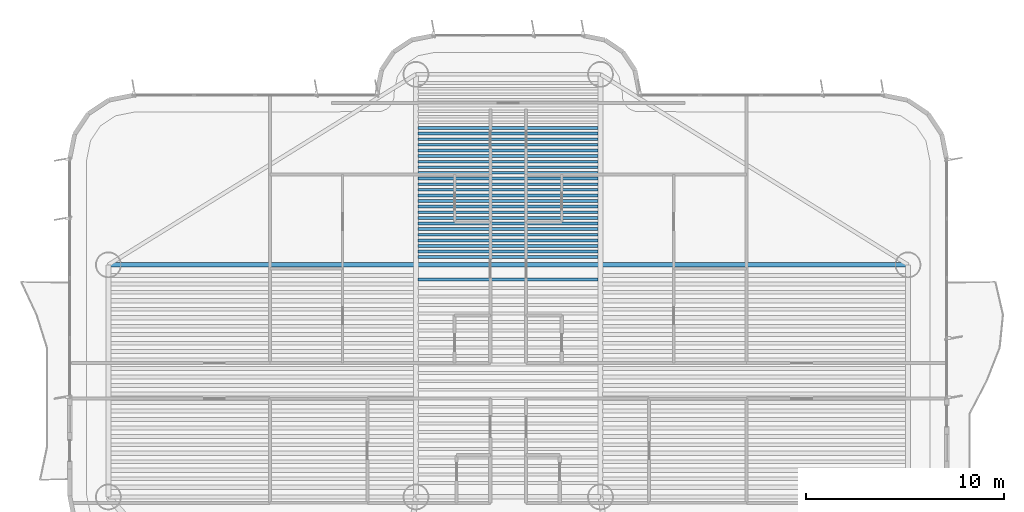
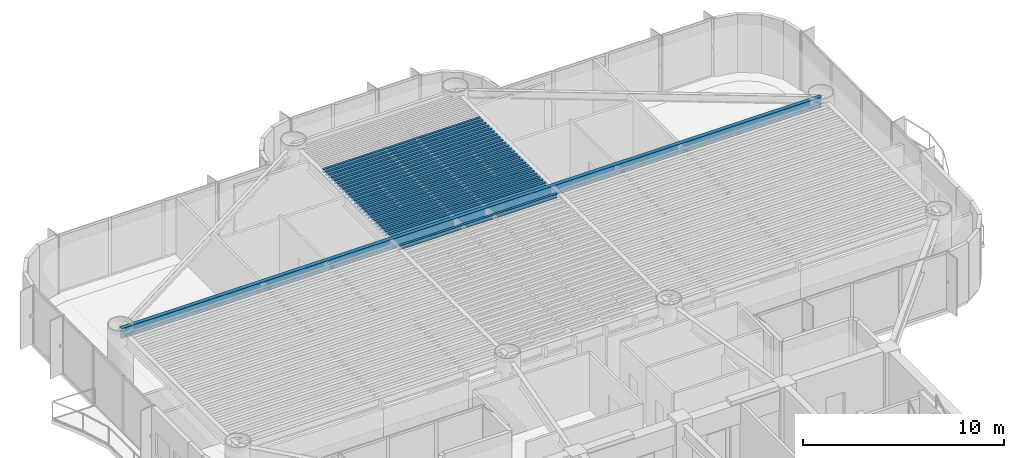
# One storey, part 6 of 17: 26 beams.
"""IFC4 building model written with IfcOpenShell, lengths in metres."""

from ifc_helpers import new_model, si_unit, direction, frame, origin, origin_2d, place, context, subcontext, project, spatial, i_section, extrude, source, transform, mapped, material, material_profile, profile_set, type_object, element, save


model = new_model("IFC4")

# Units and contexts
model_context = context("Model", 3, precision=1e-05, world=origin(), true_north=direction((0.0, 1.0)))
body_context = subcontext(model_context, "Body", "Model", "MODEL_VIEW")
ifc_project = project(units=[si_unit("LENGTHUNIT", "METRE"), si_unit("AREAUNIT", "SQUARE_METRE"), si_unit("VOLUMEUNIT", "CUBIC_METRE"), si_unit("PLANEANGLEUNIT", "RADIAN"), si_unit("MASSUNIT", "GRAM", prefix="KILO")], contexts=[model_context])

# Site, building, storey
site_placement = place(None, origin())
site = spatial("IfcSite", under=ifc_project, at=site_placement, CompositionType="ELEMENT")
building_placement = place(site_placement, origin())
building = spatial("IfcBuilding", under=site, at=building_placement, Name="Brelvock Crest Care Tower", CompositionType="ELEMENT")
storey_placement = place(building_placement, frame((0.0, 0.0, 93.60009765625)))
storey = spatial("IfcBuildingStorey", under=building, at=storey_placement, Name="L23", CompositionType="ELEMENT", Elevation=93.60009765625)

# Beams
ifc_material = material(Name="Steel Grade 350", Category="steel")
ifc_material_profile_1 = material_profile(ifc_material, i_section(OverallWidth=0.14599609375, OverallDepth=0.256103515625, WebThickness=0.00634765625, FlangeThickness=0.010986328125, FilletRadius=0.0087890625, at=origin_2d()), Name="250UB37.3")
ifc_profile_set_1 = profile_set([ifc_material_profile_1], Name="Steel Grade 350")
beam_type_1 = type_object("IfcBeamType", Name="BM-J3", PredefinedType="JOIST", material=ifc_profile_set_1)
shared_shape_1 = source(origin(), body_context, "Body", "SweptSolid", [
    extrude(i_section(OverallWidth=0.14599609375, OverallDepth=0.256103515625, WebThickness=0.00634765625, FlangeThickness=0.010986328125, FilletRadius=0.0087890625, at=origin_2d()), origin(), (0.0, 0.0, 1.0), 9.06982421875),
])
for number, where, z_axis, x_axis, name in (
    (1, (31.465087890625, 38.10400390625, 3.40185546875), (1.0, 0.0, 0.0), (0.0, 1.0, 0.0), "BM-JH-L23-25"),
    (2, (31.465087890625, 39.23388671875, 3.40185546875), (1.0, 0.0, 0.0), (0.0, 1.0, 0.0), "BM-JN-L23-1"),
    (3, (31.465087890625, 39.51708984375, 3.40185546875), (1.0, 0.0, 0.0), (0.0, 1.0, 0.0), "BM-JN-L23-2"),
    (4, (31.465087890625, 39.80029296875, 3.40185546875), (1.0, 0.0, 0.0), (0.0, 1.0, 0.0), "BM-JN-L23-3"),
    (5, (31.465087890625, 40.08349609375, 3.40185546875), (1.0, 0.0, 0.0), (0.0, 1.0, 0.0), "BM-JN-L23-4"),
    (6, (31.465087890625, 40.36669921875, 3.40185546875), (1.0, 0.0, 0.0), (0.0, 1.0, 0.0), "BM-JN-L23-5"),
    (7, (31.465087890625, 40.64990234375, 3.40185546875), (1.0, 0.0, 0.0), (0.0, 1.0, 0.0), "BM-JN-L23-6"),
    (8, (31.465087890625, 40.93310546875, 3.40185546875), (1.0, 0.0, 0.0), (0.0, 1.0, 0.0), "BM-JN-L23-7"),
    (9, (31.465087890625, 41.21630859375, 3.40185546875), (1.0, 0.0, 0.0), (0.0, 1.0, 0.0), "BM-JN-L23-8"),
    (10, (31.465087890625, 41.49951171875, 3.40185546875), (1.0, 0.0, 0.0), (0.0, 1.0, 0.0), "BM-JN-L23-9"),
    (11, (31.465087890625, 41.78271484375, 3.40185546875), (1.0, 0.0, 0.0), (0.0, 1.0, 0.0), "BM-JN-L23-10"),
    (12, (31.465087890625, 42.06591796875, 3.40185546875), (1.0, 0.0, 0.0), (0.0, 1.0, 0.0), "BM-JN-L23-11"),
    (13, (31.465087890625, 42.34912109375, 3.40185546875), (1.0, 0.0, 0.0), (0.0, 1.0, 0.0), "BM-JN-L23-12"),
    (14, (31.465087890625, 42.63232421875, 3.40185546875), (1.0, 0.0, 0.0), (0.0, 1.0, 0.0), "BM-JN-L23-13"),
):
    element("IfcBeam", number, at=place(storey_placement, frame(where, z_axis=z_axis, x_axis=x_axis)), inside=storey, type_object=beam_type_1, Name=name, PredefinedType="JOIST", context=body_context, shape_type="MappedRepresentation", body=[
        mapped(shared_shape_1, transform((0.0, 0.0, 0.0), x_axis=(1.0, 0.0, 0.0), y_axis=(0.0, 1.0, 0.0), z_axis=(0.0, 0.0, 1.0), scale=1.0)),
    ])
ifc_material_profile_2 = material_profile(ifc_material, i_section(OverallWidth=0.134033203125, OverallDepth=0.20703125, WebThickness=0.00634765625, FlangeThickness=0.009521484375, FilletRadius=0.0087890625, at=origin_2d()), Name="200UB29.8")
ifc_profile_set_2 = profile_set([ifc_material_profile_2], Name="Steel Grade 350")
beam_type_2 = type_object("IfcBeamType", Name="BM-J4", PredefinedType="JOIST", material=ifc_profile_set_2)
shared_shape_2 = source(origin(), body_context, "Body", "SweptSolid", [
    extrude(i_section(OverallWidth=0.134033203125, OverallDepth=0.20703125, WebThickness=0.00634765625, FlangeThickness=0.009521484375, FilletRadius=0.0087890625, at=origin_2d()), origin(), (0.0, 0.0, 1.0), 9.06982421875),
])
for number, where, z_axis, x_axis, name in (
    (15, (31.465087890625, 42.91552734375, 3.426513671875), (1.0, 0.0, 0.0), (0.0, 1.0, 0.0), "BM-JN-L23-14"),
    (16, (31.465087890625, 43.19873046875, 3.426513671875), (1.0, 0.0, 0.0), (0.0, 1.0, 0.0), "BM-JN-L23-15"),
    (17, (31.465087890625, 43.48193359375, 3.426513671875), (1.0, 0.0, 0.0), (0.0, 1.0, 0.0), "BM-JN-L23-16"),
    (18, (31.465087890625, 43.76513671875, 3.426513671875), (1.0, 0.0, 0.0), (0.0, 1.0, 0.0), "BM-JN-L23-17"),
    (19, (31.465087890625, 44.04833984375, 3.426513671875), (1.0, 0.0, 0.0), (0.0, 1.0, 0.0), "BM-JN-L23-18"),
    (20, (31.465087890625, 44.33154296875, 3.426513671875), (1.0, 0.0, 0.0), (0.0, 1.0, 0.0), "BM-JN-L23-19"),
    (21, (31.465087890625, 44.61474609375, 3.426513671875), (1.0, 0.0, 0.0), (0.0, 1.0, 0.0), "BM-JN-L23-20"),
    (22, (31.465087890625, 44.89794921875, 3.426513671875), (1.0, 0.0, 0.0), (0.0, 1.0, 0.0), "BM-JN-L23-21"),
    (23, (31.465087890625, 45.18115234375, 3.426513671875), (1.0, 0.0, 0.0), (0.0, 1.0, 0.0), "BM-JN-L23-22"),
    (24, (31.465087890625, 45.46435546875, 3.426513671875), (1.0, 0.0, 0.0), (0.0, 1.0, 0.0), "BM-JN-L23-23"),
    (25, (31.465087890625, 45.74755859375, 3.426513671875), (1.0, 0.0, 0.0), (0.0, 1.0, 0.0), "BM-JN-L23-24"),
):
    element("IfcBeam", number, at=place(storey_placement, frame(where, z_axis=z_axis, x_axis=x_axis)), inside=storey, type_object=beam_type_2, Name=name, PredefinedType="JOIST", context=body_context, shape_type="MappedRepresentation", body=[
        mapped(shared_shape_2, transform((0.0, 0.0, 0.0), x_axis=(1.0, 0.0, 0.0), y_axis=(0.0, 1.0, 0.0), z_axis=(0.0, 0.0, 1.0), scale=1.0)),
    ])
ifc_material_profile_3 = material_profile(ifc_material, i_section(OverallWidth=0.22900390625, OverallDepth=0.612060546875, WebThickness=0.011962890625, FlangeThickness=0.01953125, FilletRadius=0.013916015625, at=origin_2d()), Name="610UB125")
ifc_profile_set_3 = profile_set([ifc_material_profile_3], Name="Steel Grade 350")
beam_type_3 = type_object("IfcBeamType", Name="BM-G1", PredefinedType="BEAM", material=ifc_profile_set_3)
shared_shape_3 = source(origin(), body_context, "Body", "SweptSolid", [
    extrude(i_section(OverallWidth=0.22900390625, OverallDepth=0.612060546875, WebThickness=0.011962890625, FlangeThickness=0.01953125, FilletRadius=0.013916015625, at=origin_2d()), origin(), (0.0, 0.0, 1.0), 40.2998046875),
])
beam_placement = place(storey_placement, frame((15.85009765625, 38.85009765625, 3.223876953125), z_axis=(1.0, 0.0, 0.0), x_axis=(0.0, 1.0, 0.0)))
element("IfcBeam", 26, at=beam_placement, inside=storey, type_object=beam_type_3, Name="BM-TWR-L23-11", PredefinedType="BEAM", context=body_context, shape_type="MappedRepresentation", body=[
    mapped(shared_shape_3, transform((0.0, 0.0, 0.0), x_axis=(1.0, 0.0, 0.0), y_axis=(0.0, 1.0, 0.0), z_axis=(0.0, 0.0, 1.0), scale=1.0)),
])

save(model, "model.ifc")
